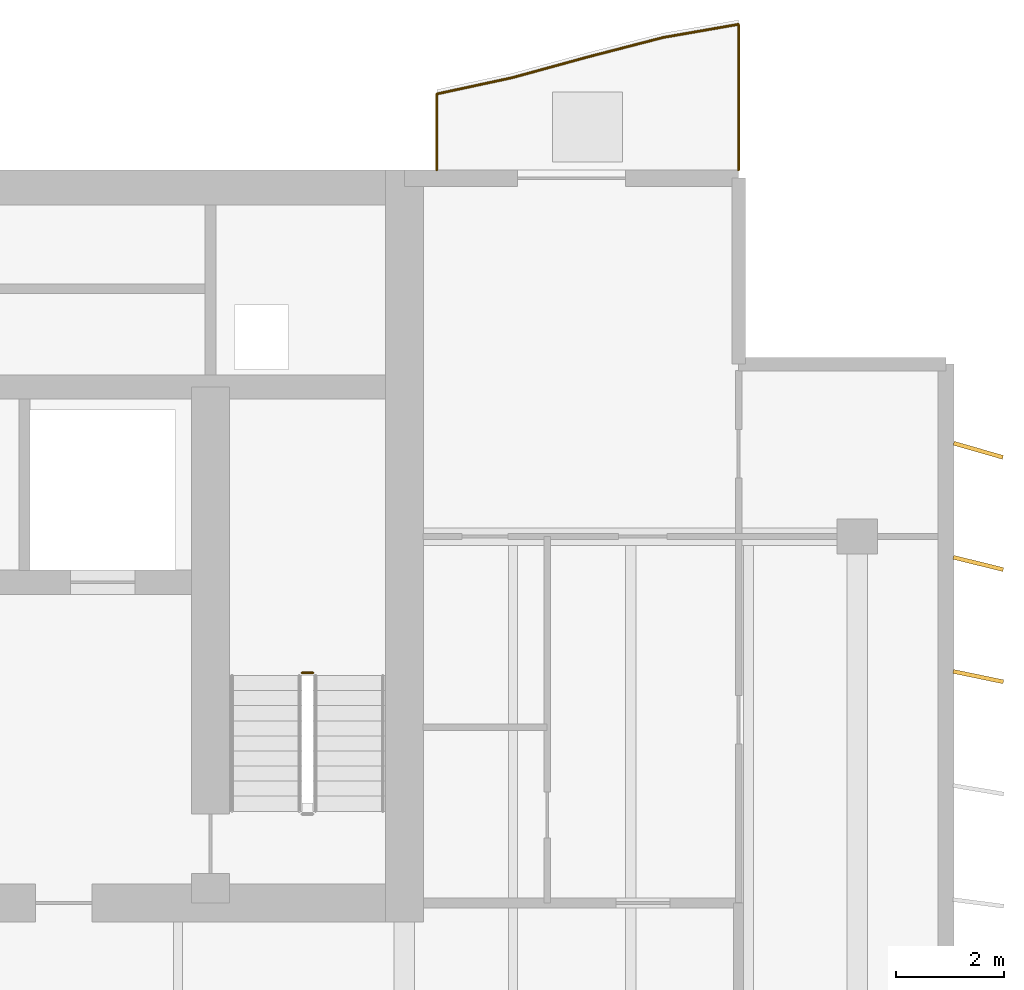
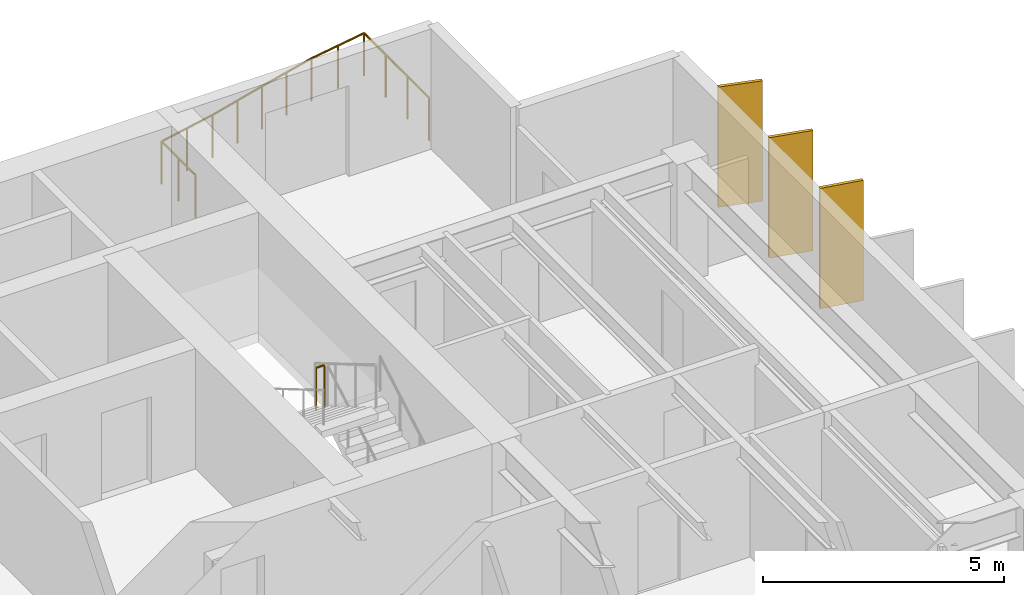
# One storey, part 17 of 17: 3 shading devices, 2 railings.
"""IFC4 building model written with IfcOpenShell, lengths in metres."""

from ifc_helpers import new_model, si_unit, direction, frame, origin, origin_2d, place, context, subcontext, project, spatial, rectangle, circle, extrude, material, material_profile, profile_set, type_object, element, save


model = new_model("IFC4")

# Units and contexts
model_context = context("Model", 3, precision=1e-05, world=origin(), true_north=direction((0.0, 1.0)))
body_context = subcontext(model_context, "Body", "Model", "MODEL_VIEW")
ifc_project = project(units=[si_unit("LENGTHUNIT", "METRE"), si_unit("AREAUNIT", "SQUARE_METRE"), si_unit("VOLUMEUNIT", "CUBIC_METRE"), si_unit("PLANEANGLEUNIT", "RADIAN"), si_unit("MASSUNIT", "GRAM", prefix="KILO")], contexts=[model_context])

# Site, building, storey
site_placement = place(None, origin())
site = spatial("IfcSite", under=ifc_project, at=site_placement, CompositionType="ELEMENT")
building_placement = place(site_placement, origin())
building = spatial("IfcBuilding", under=site, at=building_placement, Name="Caelmar Bay Residences", CompositionType="ELEMENT")
storey_placement = place(building_placement, frame((0.0, 0.0, 259.5)))
storey = spatial("IfcBuildingStorey", under=building, at=storey_placement, Name="L73", CompositionType="ELEMENT", Elevation=259.5)

# Railings
ifc_material_1 = material(Name="Anodised bronze handrail with laminated hurricane glass infill", Category="glass")
railing_type_1 = type_object("IfcRailingType", Name="RL-BAL-1100", PredefinedType="BALUSTRADE", material=ifc_material_1)
railing_1_placement = place(storey_placement, frame((65.699951171875, 50.60009765625, 0.0)))
element("IfcRailing", 1, at=railing_1_placement, inside=storey, type_object=railing_type_1, Name="L73 north_east Balcony Balustrade", PredefinedType="BALUSTRADE", context=body_context, shape_type="SweptSolid", body=[
    extrude(circle(Radius=0.02392578125, at=origin_2d()), frame((0.0, 0.0, 1.076171875), z_axis=(0.0, 1.0, 0.0), x_axis=(-1.0, 0.0, 0.0)), (0.0, 0.0, 1.0), 2.705078125),
    extrude(circle(Radius=0.02392578125, at=origin_2d()), frame((0.0, 2.705078125, 1.076171875), z_axis=(-0.985101853006, -0.171971913997, 0.0), x_axis=(0.171971913997, -0.985101853006, 0.0)), (0.0, 0.0, 1.0), 1.421142578125),
    extrude(circle(Radius=0.02392578125, at=origin_2d()), frame((-1.39990234375, 2.460693359375, 1.076171875), z_axis=(-0.968113743572, -0.250511036698, 0.0), x_axis=(0.250511036698, -0.968113743572, 0.0)), (0.0, 0.0, 1.0), 1.4462890625),
    extrude(circle(Radius=0.02392578125, at=origin_2d()), frame((-2.800048828125, 2.098388671875, 1.076171875), z_axis=(-0.964456525256, -0.264241576766, 0.0), x_axis=(0.264241576766, -0.964456525256, 0.0)), (0.0, 0.0, 1.0), 1.451416015625),
    extrude(circle(Radius=0.02392578125, at=origin_2d()), frame((-4.199951171875, 1.71484375, 1.076171875), z_axis=(-0.97754721646, -0.210716491026, 0.0), x_axis=(0.210716491026, -0.97754721646, 0.0)), (0.0, 0.0, 1.0), 1.43212890625),
    extrude(circle(Radius=0.02392578125, at=origin_2d()), frame((-5.599853515625, 1.4130859375, 1.076171875), z_axis=(0.0, -1.0, 0.0), x_axis=(1.0, 0.0, 0.0)), (0.0, 0.0, 1.0), 1.4130859375),
    extrude(circle(Radius=0.02099609375, at=origin_2d()), origin(), (0.0, 0.0, 1.0), 1.052001953125),
    extrude(circle(Radius=0.02099609375, at=origin_2d()), frame((0.0, 0.901611328125, 0.0)), (0.0, 0.0, 1.0), 1.052001953125),
    extrude(circle(Radius=0.02099609375, at=origin_2d()), frame((0.0, 1.803466796875, 0.0)), (0.0, 0.0, 1.0), 1.052001953125),
    extrude(circle(Radius=0.02099609375, at=origin_2d()), frame((0.0, 2.705078125, 0.0)), (0.0, 0.0, 1.0), 1.052001953125),
    extrude(circle(Radius=0.02099609375, at=origin_2d()), frame((-0.699951171875, 2.5830078125, 0.0)), (0.0, 0.0, 1.0), 1.052001953125),
    extrude(circle(Radius=0.02099609375, at=origin_2d()), frame((-1.39990234375, 2.460693359375, 0.0)), (0.0, 0.0, 1.0), 1.052001953125),
    extrude(circle(Radius=0.02099609375, at=origin_2d()), frame((-2.10009765625, 2.279541015625, 0.0)), (0.0, 0.0, 1.0), 1.052001953125),
    extrude(circle(Radius=0.02099609375, at=origin_2d()), frame((-2.800048828125, 2.098388671875, 0.0)), (0.0, 0.0, 1.0), 1.052001953125),
    extrude(circle(Radius=0.02099609375, at=origin_2d()), frame((-3.5, 1.90673828125, 0.0)), (0.0, 0.0, 1.0), 1.052001953125),
    extrude(circle(Radius=0.02099609375, at=origin_2d()), frame((-4.199951171875, 1.71484375, 0.0)), (0.0, 0.0, 1.0), 1.052001953125),
    extrude(circle(Radius=0.02099609375, at=origin_2d()), frame((-4.89990234375, 1.56396484375, 0.0)), (0.0, 0.0, 1.0), 1.052001953125),
    extrude(circle(Radius=0.02099609375, at=origin_2d()), frame((-5.599853515625, 1.4130859375, 0.0)), (0.0, 0.0, 1.0), 1.052001953125),
    extrude(circle(Radius=0.02099609375, at=origin_2d()), frame((-5.599853515625, 0.70654296875, 0.0)), (0.0, 0.0, 1.0), 1.052001953125),
    extrude(circle(Radius=0.02099609375, at=origin_2d()), frame((-5.599853515625, 0.0, 0.0)), (0.0, 0.0, 1.0), 1.052001953125),
])
ifc_material_2 = material(Name="Painted galvanized steel stair guard 1100 mm", Category="steel")
railing_type_2 = type_object("IfcRailingType", Name="RL-GRD-1100", PredefinedType="GUARDRAIL", material=ifc_material_2)
railing_2_placement = place(storey_placement, frame((57.800048828125, 41.27001953125, 1.64990234375)))
element("IfcRailing", 2, at=railing_2_placement, inside=storey, type_object=railing_type_2, Name="L73 ST2 stair guard 2", PredefinedType="GUARDRAIL", context=body_context, shape_type="SweptSolid", body=[
    extrude(circle(Radius=0.02392578125, at=origin_2d()), frame((0.0, 0.0, 1.076171875), z_axis=(-1.0, 0.0, 0.0), x_axis=(0.0, -1.0, 0.0)), (0.0, 0.0, 1.0), 0.199951171875),
    extrude(circle(Radius=0.02099609375, at=origin_2d()), origin(), (0.0, 0.0, 1.0), 1.052001953125),
    extrude(circle(Radius=0.02099609375, at=origin_2d()), frame((-0.199951171875, 0.0, 0.0)), (0.0, 0.0, 1.0), 1.052001953125),
])

# Shading devices
ifc_material_3 = material(Name="Anodised architectural bronze aluminium 6063-T6", Category="aluminium")
ifc_material_profile = material_profile(ifc_material_3, rectangle(XDim=0.074951171875, YDim=0.949951171875, at=origin_2d()), Name="BRONZE-FIN-75X950")
ifc_profile_set = profile_set([ifc_material_profile], Name="Anodised architectural bronze aluminium 6063-T6")
shading_device_type = type_object("IfcShadingDeviceType", Name="SHD-FIN-950", PredefinedType="USERDEFINED", material=ifc_profile_set)
for number, where, z_axis, x_axis, name in (
    (3, (70.14990234375, 41.199951171875, 0.0), (0.0, 0.0, 1.0), (0.2032999874, 0.979116497217, 0.0), "L73 East Bronze Solar Fin 14"),
    (4, (70.14990234375, 43.300048828125, 0.0), (0.0, 0.0, 1.0), (0.239719743609, 0.970842131618, 0.0), "L73 East Bronze Solar Fin 15"),
    (5, (70.14990234375, 45.39990234375, 0.0), (0.0, 0.0, 1.0), (0.275637355817, 0.961261695938, 0.0), "L73 East Bronze Solar Fin 16"),
):
    element("IfcShadingDevice", number, at=place(storey_placement, frame(where, z_axis=z_axis, x_axis=x_axis)), inside=storey, type_object=shading_device_type, Name=name, ObjectType="FIN", PredefinedType="USERDEFINED", context=body_context, shape_type="SweptSolid", body=[
        extrude(rectangle(XDim=0.074951171875, YDim=0.949951171875, at=origin_2d()), origin(), (0.0, 0.0, 1.0), 3.050048828125),
    ])

save(model, "model.ifc")
